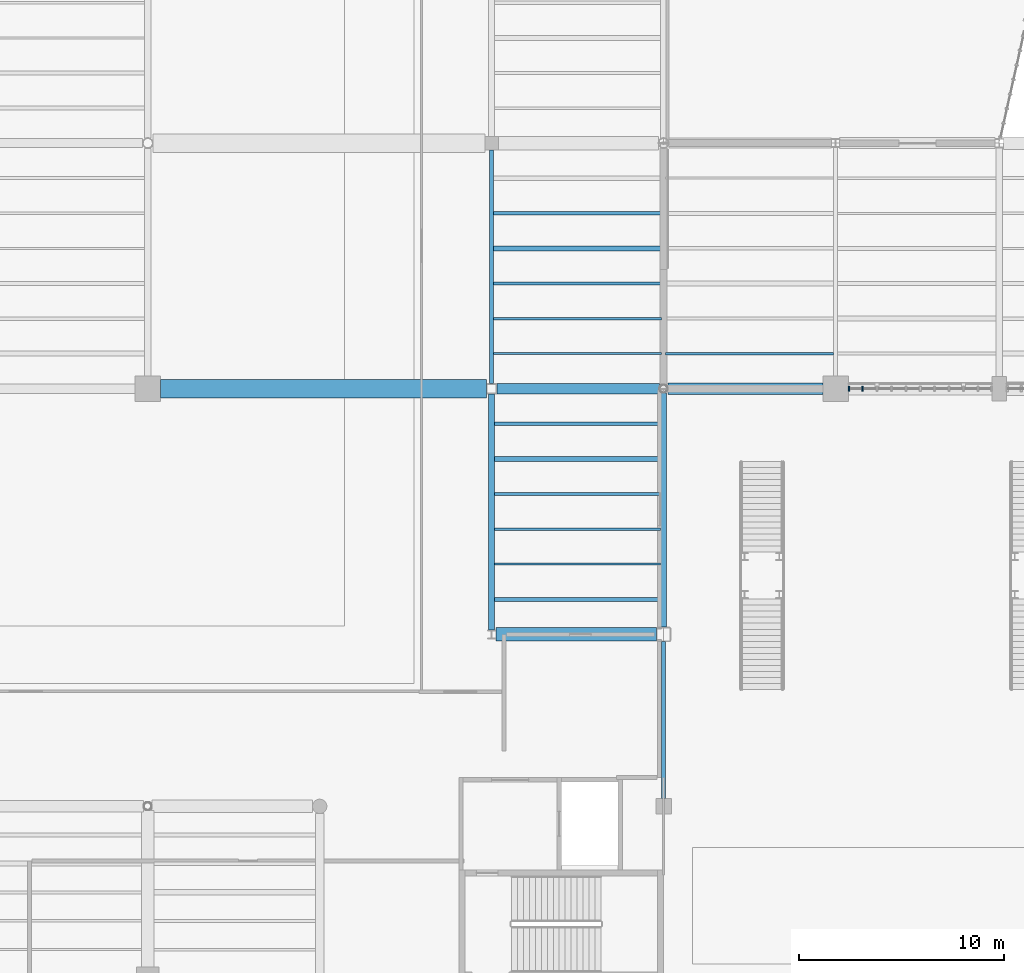
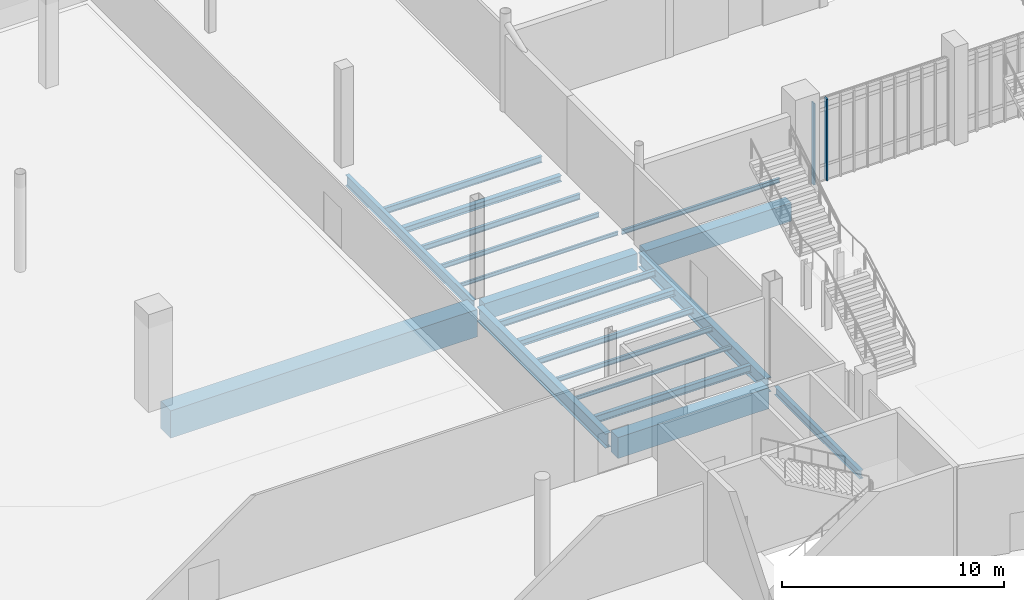
# One storey, part 20 of 111: 20 beams, 2 members, 1 element without a shape of its own.
"""IFC4 building model written with IfcOpenShell, lengths in metres."""

from ifc_helpers import new_model, si_unit, direction, frame, origin, origin_2d, place, context, subcontext, project, spatial, rectangle, i_section, extrude, material, material_profile, profile_set, type_object, element, aggregate, save


model = new_model("IFC4")

# Units and contexts
model_context = context("Model", 3, precision=1e-05, world=origin(), true_north=direction((0.0, 1.0)))
body_context = subcontext(model_context, "Body", "Model", "MODEL_VIEW")
ifc_project = project(units=[si_unit("LENGTHUNIT", "METRE"), si_unit("AREAUNIT", "SQUARE_METRE"), si_unit("VOLUMEUNIT", "CUBIC_METRE"), si_unit("PLANEANGLEUNIT", "RADIAN"), si_unit("MASSUNIT", "GRAM", prefix="KILO")], contexts=[model_context])

# Site, building, storey
site_placement = place(None, origin())
site = spatial("IfcSite", under=ifc_project, at=site_placement, CompositionType="ELEMENT")
building_placement = place(site_placement, origin())
building = spatial("IfcBuilding", under=site, at=building_placement, Name="Larkvane Passage Sports Hall", CompositionType="ELEMENT")
storey_placement = place(building_placement, origin())
storey = spatial("IfcBuildingStorey", under=building, at=storey_placement, Name="L00", CompositionType="ELEMENT", Elevation=0.0)

# Beams
ifc_material_1 = material(Name="Concrete C40/50", Category="concrete")
ifc_material_profile_1 = material_profile(ifc_material_1, rectangle(XDim=0.5, YDim=0.89990234375, at=origin_2d()), Name="RC-BM-500x900")
ifc_profile_set_1 = profile_set([ifc_material_profile_1], Name="Concrete C40/50")
beam_type_1 = type_object("IfcBeamType", Name="BM-RC-500x900", PredefinedType="BEAM", material=ifc_profile_set_1)
beam_1_placement = place(storey_placement, frame((85.449951171875, 51.60009765625, -0.8701171875), z_axis=(1.0, 0.0, 0.0), x_axis=(0.0, 1.0, 0.0)))
element("IfcBeam", 1, at=beam_1_placement, inside=storey, type_object=beam_type_1, Name="Girder BM5-X-L00-G-0034", PredefinedType="BEAM", context=body_context, shape_type="SweptSolid", body=[
    extrude(rectangle(XDim=0.5, YDim=0.89990234375, at=origin_2d()), origin(), (0.0, 0.0, 1.0), 7.94677734375),
])
ifc_material_2 = material(Name="Concrete C50/60", Category="concrete")
ifc_material_profile_2 = material_profile(ifc_material_2, rectangle(XDim=0.550048828125, YDim=1.0, at=origin_2d()), Name="RC-BM-550x1000")
ifc_profile_set_2 = profile_set([ifc_material_profile_2], Name="Concrete C50/60")
beam_type_2 = type_object("IfcBeamType", Name="BM-RC-550x1000", PredefinedType="BEAM", material=ifc_profile_set_2)
beam_2_placement = place(storey_placement, frame((93.80322265625, 51.60009765625, -0.919921875), z_axis=(1.0, 0.0, 0.0), x_axis=(0.0, 1.0, 0.0)))
element("IfcBeam", 2, at=beam_2_placement, inside=storey, type_object=beam_type_2, Name="Girder BM5-X-L00-G-0035", PredefinedType="BEAM", context=body_context, shape_type="SweptSolid", body=[
    extrude(rectangle(XDim=0.550048828125, YDim=1.0, at=origin_2d()), origin(), (0.0, 0.0, 1.0), 7.57177734375),
])
ifc_material_profile_3 = material_profile(ifc_material_2, rectangle(XDim=0.64990234375, YDim=1.14990234375, at=origin_2d()), Name="RC-BM-650x1150")
ifc_profile_set_3 = profile_set([ifc_material_profile_3], Name="Concrete C50/60")
beam_type_3 = type_object("IfcBeamType", Name="BM-RC-650x1150", PredefinedType="BEAM", material=ifc_profile_set_3)
beam_3_placement = place(storey_placement, frame((85.402587890625, 39.60009765625, -0.9951171875), z_axis=(1.0, 0.0, 0.0), x_axis=(0.0, 1.0, 0.0)))
element("IfcBeam", 3, at=beam_3_placement, inside=storey, type_object=beam_type_3, Name="Girder BM5-X-L00-F-0025", PredefinedType="BEAM", context=body_context, shape_type="SweptSolid", body=[
    extrude(rectangle(XDim=0.64990234375, YDim=1.14990234375, at=origin_2d()), origin(), (0.0, 0.0, 1.0), 7.847412109375),
])
ifc_material_3 = material(Name="Steel S355JR", Category="steel")
ifc_material_profile_4 = material_profile(ifc_material_3, i_section(OverallWidth=0.199951171875, OverallDepth=0.60009765625, WebThickness=0.010986328125, FlangeThickness=0.01708984375, FilletRadius=0.01806640625, at=origin_2d()), Name="H-600x200x11x17")
ifc_profile_set_4 = profile_set([ifc_material_profile_4], Name="Steel S355JR")
beam_type_4 = type_object("IfcBeamType", Name="BM-STL-H600", PredefinedType="BEAM", material=ifc_profile_set_4)
beam_4_placement = place(storey_placement, frame((85.199951171875, 51.85009765625, -0.719970703125), z_axis=(0.0, 1.0, 0.0), x_axis=(-1.0, 0.0, 0.0)))
element("IfcBeam", 4, at=beam_4_placement, inside=storey, type_object=beam_type_4, Name="Girder BM5-Y-L00-12-0113", PredefinedType="BEAM", context=body_context, shape_type="SweptSolid", body=[
    extrude(i_section(OverallWidth=0.199951171875, OverallDepth=0.60009765625, WebThickness=0.010986328125, FlangeThickness=0.01708984375, FilletRadius=0.01806640625, at=origin_2d()), origin(), (0.0, 0.0, 1.0), 11.4248046875),
])
ifc_material_4 = material(Name="Steel S460N", Category="steel")
ifc_material_profile_5 = material_profile(ifc_material_4, i_section(OverallWidth=0.300048828125, OverallDepth=0.7919921875, WebThickness=0.013916015625, FlangeThickness=0.02197265625, FilletRadius=0.02197265625, at=origin_2d()), Name="H-792x300x14x22")
ifc_profile_set_5 = profile_set([ifc_material_profile_5], Name="Steel S460N")
beam_type_5 = type_object("IfcBeamType", Name="BM-STL-H792", PredefinedType="BEAM", material=ifc_profile_set_5)
beam_5_placement = place(storey_placement, frame((85.199951171875, 39.806884765625, -0.81591796875), z_axis=(0.0, 1.0, 0.0), x_axis=(-1.0, 0.0, 0.0)))
element("IfcBeam", 5, at=beam_5_placement, inside=storey, type_object=beam_type_5, Name="Girder BM5-Y-L00-12-0112", PredefinedType="BEAM", context=body_context, shape_type="SweptSolid", body=[
    extrude(i_section(OverallWidth=0.300048828125, OverallDepth=0.7919921875, WebThickness=0.013916015625, FlangeThickness=0.02197265625, FilletRadius=0.02197265625, at=origin_2d()), origin(), (0.0, 0.0, 1.0), 11.543212890625),
])
beam_6_placement = place(storey_placement, frame((93.60009765625, 39.949951171875, -0.81591796875), z_axis=(0.0, 1.0, 0.0), x_axis=(-1.0, 0.0, 0.0)))
element("IfcBeam", 6, at=beam_6_placement, inside=storey, type_object=beam_type_5, Name="Girder BM5-Y-L00-13-0116", PredefinedType="BEAM", context=body_context, shape_type="SweptSolid", body=[
    extrude(i_section(OverallWidth=0.300048828125, OverallDepth=0.7919921875, WebThickness=0.013916015625, FlangeThickness=0.02197265625, FilletRadius=0.02197265625, at=origin_2d()), origin(), (0.0, 0.0, 1.0), 11.44677734375),
])

# Curtain wall, members
ifc_material_5 = material(Name="Thermally broken aluminium and low-E glazing", Category="aluminium")
curtain_wall_type = type_object("IfcCurtainWallType", Name="CW-UNIT-VEIL", PredefinedType="USERDEFINED", material=ifc_material_5)
curtain_wall_placement = place(storey_placement, origin())
curtain_wall = element("IfcCurtainWall", 7, at=curtain_wall_placement, inside=storey, type_object=curtain_wall_type, Name="Curtain wall CW5-L00-017", ObjectType="UNITISED CURTAIN WALL", PredefinedType="USERDEFINED")
ifc_material_6 = material(Name="Anodised aluminium 6063-T6", Category="aluminium")
ifc_material_profile_6 = material_profile(ifc_material_6, rectangle(XDim=0.074951171875, YDim=0.22509765625, at=origin_2d()), Name="ALU-MUL-75x225")
ifc_profile_set_6 = profile_set([ifc_material_profile_6], Name="Anodised aluminium 6063-T6")
member_type = type_object("IfcMemberType", Name="CW-MUL-75x225", PredefinedType="MULLION", material=ifc_profile_set_6)
member_1_placement = place(storey_placement, frame((102.658447265625, 51.60009765625, 0.0), z_axis=(0.0, 0.0, 1.0), x_axis=(1.0, 0.0, 0.0)))
member_1 = element("IfcMember", 8, at=member_1_placement, type_object=member_type, Name="CW-02 mullion 1", PredefinedType="MULLION", context=body_context, shape_type="SweptSolid", body=[
    extrude(rectangle(XDim=0.074951171875, YDim=0.22509765625, at=origin_2d()), origin(), (0.0, 0.0, 1.0), 4.47998046875),
])
member_2_placement = place(storey_placement, frame((103.32421875, 51.60009765625, 0.0), z_axis=(0.0, 0.0, 1.0), x_axis=(1.0, 0.0, 0.0)))
member_2 = element("IfcMember", 9, at=member_2_placement, type_object=member_type, Name="CW-02 mullion 2", PredefinedType="MULLION", context=body_context, shape_type="SweptSolid", body=[
    extrude(rectangle(XDim=0.074951171875, YDim=0.22509765625, at=origin_2d()), origin(), (0.0, 0.0, 1.0), 4.47998046875),
])
aggregate(curtain_wall, [member_1, member_2])

# Beams
ifc_material_profile_7 = material_profile(ifc_material_3, i_section(OverallWidth=0.10009765625, OverallDepth=0.199951171875, WebThickness=0.005615234375, FlangeThickness=0.008056640625, FilletRadius=0.008056640625, at=origin_2d()), Name="H-200x100x5.5x8")
ifc_profile_set_7 = profile_set([ifc_material_profile_7], Name="Steel S355JR")
beam_type_6 = type_object("IfcBeamType", Name="JST-STL-H200", PredefinedType="JOIST", material=ifc_profile_set_7)
beam_7_placement = place(storey_placement, frame((85.35009765625, 43.028564453125, -0.52001953125), z_axis=(1.0, 0.0, 0.0), x_axis=(0.0, 1.0, 0.0)))
element("IfcBeam", 10, at=beam_7_placement, inside=storey, type_object=beam_type_6, Name="Composite joist L00 12/F-2", PredefinedType="JOIST", context=body_context, shape_type="SweptSolid", body=[
    extrude(i_section(OverallWidth=0.10009765625, OverallDepth=0.199951171875, WebThickness=0.005615234375, FlangeThickness=0.008056640625, FilletRadius=0.008056640625, at=origin_2d()), origin(), (0.0, 0.0, 1.0), 8.099853515625),
])
beam_8_placement = place(storey_placement, frame((85.300048828125, 53.314208984375, -0.52001953125), z_axis=(1.0, 0.0, 0.0), x_axis=(0.0, 1.0, 0.0)))
element("IfcBeam", 11, at=beam_8_placement, inside=storey, type_object=beam_type_6, Name="Composite joist L00 12/G-1", PredefinedType="JOIST", context=body_context, shape_type="SweptSolid", body=[
    extrude(i_section(OverallWidth=0.10009765625, OverallDepth=0.199951171875, WebThickness=0.005615234375, FlangeThickness=0.008056640625, FilletRadius=0.008056640625, at=origin_2d()), origin(), (0.0, 0.0, 1.0), 8.199951171875),
])
ifc_material_profile_8 = material_profile(ifc_material_3, i_section(OverallWidth=0.125, OverallDepth=0.25, WebThickness=0.006103515625, FlangeThickness=0.009033203125, FilletRadius=0.008056640625, at=origin_2d()), Name="H-250x125x6x9")
ifc_profile_set_8 = profile_set([ifc_material_profile_8], Name="Steel S355JR")
beam_type_7 = type_object("IfcBeamType", Name="JST-STL-H250", PredefinedType="JOIST", material=ifc_profile_set_8)
beam_9_placement = place(storey_placement, frame((85.35009765625, 44.742919921875, -0.544921875), z_axis=(1.0, 0.0, 0.0), x_axis=(0.0, 1.0, 0.0)))
element("IfcBeam", 12, at=beam_9_placement, inside=storey, type_object=beam_type_7, Name="Composite joist L00 12/F-3", PredefinedType="JOIST", context=body_context, shape_type="SweptSolid", body=[
    extrude(i_section(OverallWidth=0.125, OverallDepth=0.25, WebThickness=0.006103515625, FlangeThickness=0.009033203125, FilletRadius=0.008056640625, at=origin_2d()), origin(), (0.0, 0.0, 1.0), 8.099853515625),
])
for number, where, z_axis, x_axis, name in (
    (13, (85.300048828125, 55.028564453125, -0.544921875), (1.0, 0.0, 0.0), (0.0, 1.0, 0.0), "Composite joist L00 12/G-2"),
    (14, (93.699951171875, 53.314208984375, -0.544921875), (1.0, 0.0, 0.0), (0.0, 1.0, 0.0), "Composite joist L00 13/G-1"),
):
    element("IfcBeam", number, at=place(storey_placement, frame(where, z_axis=z_axis, x_axis=x_axis)), inside=storey, type_object=beam_type_7, Name=name, PredefinedType="JOIST", context=body_context, shape_type="SweptSolid", body=[
        extrude(i_section(OverallWidth=0.125, OverallDepth=0.25, WebThickness=0.006103515625, FlangeThickness=0.009033203125, FilletRadius=0.008056640625, at=origin_2d()), origin(), (0.0, 0.0, 1.0), 8.199951171875),
    ])
ifc_material_profile_9 = material_profile(ifc_material_3, i_section(OverallWidth=0.14990234375, OverallDepth=0.300048828125, WebThickness=0.006591796875, FlangeThickness=0.009033203125, FilletRadius=0.012939453125, at=origin_2d()), Name="H-300x150x6.5x9")
ifc_profile_set_9 = profile_set([ifc_material_profile_9], Name="Steel S355JR")
beam_type_8 = type_object("IfcBeamType", Name="JST-STL-H300", PredefinedType="JOIST", material=ifc_profile_set_9)
beam_10_placement = place(storey_placement, frame((85.35009765625, 46.45703125, -0.570068359375), z_axis=(1.0, 0.0, 0.0), x_axis=(0.0, 1.0, 0.0)))
element("IfcBeam", 15, at=beam_10_placement, inside=storey, type_object=beam_type_8, Name="Composite joist L00 12/F-4", PredefinedType="JOIST", context=body_context, shape_type="SweptSolid", body=[
    extrude(i_section(OverallWidth=0.14990234375, OverallDepth=0.300048828125, WebThickness=0.006591796875, FlangeThickness=0.009033203125, FilletRadius=0.012939453125, at=origin_2d()), origin(), (0.0, 0.0, 1.0), 8.099853515625),
])
beam_11_placement = place(storey_placement, frame((85.300048828125, 56.742919921875, -0.570068359375), z_axis=(1.0, 0.0, 0.0), x_axis=(0.0, 1.0, 0.0)))
element("IfcBeam", 16, at=beam_11_placement, inside=storey, type_object=beam_type_8, Name="Composite joist L00 12/G-3", PredefinedType="JOIST", context=body_context, shape_type="SweptSolid", body=[
    extrude(i_section(OverallWidth=0.14990234375, OverallDepth=0.300048828125, WebThickness=0.006591796875, FlangeThickness=0.009033203125, FilletRadius=0.012939453125, at=origin_2d()), origin(), (0.0, 0.0, 1.0), 8.199951171875),
])
ifc_material_profile_10 = material_profile(ifc_material_3, i_section(OverallWidth=0.25, OverallDepth=0.340087890625, WebThickness=0.009033203125, FlangeThickness=0.013916015625, FilletRadius=0.012939453125, at=origin_2d()), Name="H-340x250x9x14")
ifc_profile_set_10 = profile_set([ifc_material_profile_10], Name="Steel S355JR")
beam_type_9 = type_object("IfcBeamType", Name="JST-STL-H340", PredefinedType="JOIST", material=ifc_profile_set_10)
beam_12_placement = place(storey_placement, frame((85.35009765625, 48.17138671875, -0.590087890625), z_axis=(1.0, 0.0, 0.0), x_axis=(0.0, 1.0, 0.0)))
element("IfcBeam", 17, at=beam_12_placement, inside=storey, type_object=beam_type_9, Name="Composite joist L00 12/F-5", PredefinedType="JOIST", context=body_context, shape_type="SweptSolid", body=[
    extrude(i_section(OverallWidth=0.25, OverallDepth=0.340087890625, WebThickness=0.009033203125, FlangeThickness=0.013916015625, FilletRadius=0.012939453125, at=origin_2d()), origin(), (0.0, 0.0, 1.0), 8.099853515625),
])
beam_13_placement = place(storey_placement, frame((85.300048828125, 58.45703125, -0.590087890625), z_axis=(1.0, 0.0, 0.0), x_axis=(0.0, 1.0, 0.0)))
element("IfcBeam", 18, at=beam_13_placement, inside=storey, type_object=beam_type_9, Name="Composite joist L00 12/G-4", PredefinedType="JOIST", context=body_context, shape_type="SweptSolid", body=[
    extrude(i_section(OverallWidth=0.25, OverallDepth=0.340087890625, WebThickness=0.009033203125, FlangeThickness=0.013916015625, FilletRadius=0.012939453125, at=origin_2d()), origin(), (0.0, 0.0, 1.0), 8.199951171875),
])
ifc_material_profile_11 = material_profile(ifc_material_3, i_section(OverallWidth=0.175048828125, OverallDepth=0.35009765625, WebThickness=0.007080078125, FlangeThickness=0.010986328125, FilletRadius=0.012939453125, at=origin_2d()), Name="H-350x175x7x11")
ifc_profile_set_11 = profile_set([ifc_material_profile_11], Name="Steel S355JR")
beam_type_10 = type_object("IfcBeamType", Name="JST-STL-H350", PredefinedType="JOIST", material=ifc_profile_set_11)
beam_14_placement = place(storey_placement, frame((85.35009765625, 49.8857421875, -0.594970703125), z_axis=(1.0, 0.0, 0.0), x_axis=(0.0, 1.0, 0.0)))
element("IfcBeam", 19, at=beam_14_placement, inside=storey, type_object=beam_type_10, Name="Composite joist L00 12/F-6", PredefinedType="JOIST", context=body_context, shape_type="SweptSolid", body=[
    extrude(i_section(OverallWidth=0.175048828125, OverallDepth=0.35009765625, WebThickness=0.007080078125, FlangeThickness=0.010986328125, FilletRadius=0.012939453125, at=origin_2d()), origin(), (0.0, 0.0, 1.0), 8.099853515625),
])
beam_15_placement = place(storey_placement, frame((85.300048828125, 60.17138671875, -0.594970703125), z_axis=(1.0, 0.0, 0.0), x_axis=(0.0, 1.0, 0.0)))
element("IfcBeam", 20, at=beam_15_placement, inside=storey, type_object=beam_type_10, Name="Composite joist L00 12/G-5", PredefinedType="JOIST", context=body_context, shape_type="SweptSolid", body=[
    extrude(i_section(OverallWidth=0.175048828125, OverallDepth=0.35009765625, WebThickness=0.007080078125, FlangeThickness=0.010986328125, FilletRadius=0.012939453125, at=origin_2d()), origin(), (0.0, 0.0, 1.0), 8.199951171875),
])
ifc_material_profile_12 = material_profile(ifc_material_3, i_section(OverallWidth=0.199951171875, OverallDepth=0.39990234375, WebThickness=0.008056640625, FlangeThickness=0.012939453125, FilletRadius=0.012939453125, at=origin_2d()), Name="H-400x200x8x13")
ifc_profile_set_12 = profile_set([ifc_material_profile_12], Name="Steel S355JR")
beam_type_11 = type_object("IfcBeamType", Name="JST-STL-H400", PredefinedType="JOIST", material=ifc_profile_set_12)
beam_16_placement = place(storey_placement, frame((85.35009765625, 41.314208984375, -0.6201171875), z_axis=(1.0, 0.0, 0.0), x_axis=(0.0, 1.0, 0.0)))
element("IfcBeam", 21, at=beam_16_placement, inside=storey, type_object=beam_type_11, Name="Composite joist L00 12/F-1", PredefinedType="JOIST", context=body_context, shape_type="SweptSolid", body=[
    extrude(i_section(OverallWidth=0.199951171875, OverallDepth=0.39990234375, WebThickness=0.008056640625, FlangeThickness=0.012939453125, FilletRadius=0.012939453125, at=origin_2d()), origin(), (0.0, 0.0, 1.0), 8.099853515625),
])
ifc_material_profile_13 = material_profile(ifc_material_2, rectangle(XDim=0.89990234375, YDim=1.5, at=origin_2d()), Name="PT-GIR-900x1500")
ifc_profile_set_13 = profile_set([ifc_material_profile_13], Name="Concrete C50/60")
beam_type_12 = type_object("IfcBeamType", Name="PTG-900x1500", PredefinedType="BEAM", material=ifc_profile_set_13)
beam_17_placement = place(storey_placement, frame((69.02490234375, 51.60009765625, -1.169921875), z_axis=(1.0, 0.0, 0.0), x_axis=(0.0, 1.0, 0.0)))
element("IfcBeam", 22, at=beam_17_placement, inside=storey, type_object=beam_type_12, Name="Post-tensioned transfer girder BM5-X-L00-G-0033", PredefinedType="BEAM", context=body_context, shape_type="SweptSolid", body=[
    extrude(rectangle(XDim=0.89990234375, YDim=1.5, at=origin_2d()), origin(), (0.0, 0.0, 1.0), 15.925048828125),
])
ifc_material_profile_14 = material_profile(ifc_material_3, i_section(OverallWidth=0.199951171875, OverallDepth=0.449951171875, WebThickness=0.009033203125, FlangeThickness=0.013916015625, FilletRadius=0.01806640625, at=origin_2d()), Name="H-450x200x9x14")
ifc_profile_set_14 = profile_set([ifc_material_profile_14], Name="Steel S355JR")
beam_type_13 = type_object("IfcBeamType", Name="SP-STL-H450", PredefinedType="SPANDREL", material=ifc_profile_set_14)
beam_18_placement = place(storey_placement, frame((93.60009765625, 31.574951171875, -0.64501953125), z_axis=(0.0, 1.0, 0.0), x_axis=(-1.0, 0.0, 0.0)))
element("IfcBeam", 23, at=beam_18_placement, inside=storey, type_object=beam_type_13, Name="Girder BM5-Y-L00-13-0115", PredefinedType="SPANDREL", context=body_context, shape_type="SweptSolid", body=[
    extrude(i_section(OverallWidth=0.199951171875, OverallDepth=0.449951171875, WebThickness=0.009033203125, FlangeThickness=0.013916015625, FilletRadius=0.01806640625, at=origin_2d()), origin(), (0.0, 0.0, 1.0), 7.675048828125),
])

save(model, "model.ifc")
